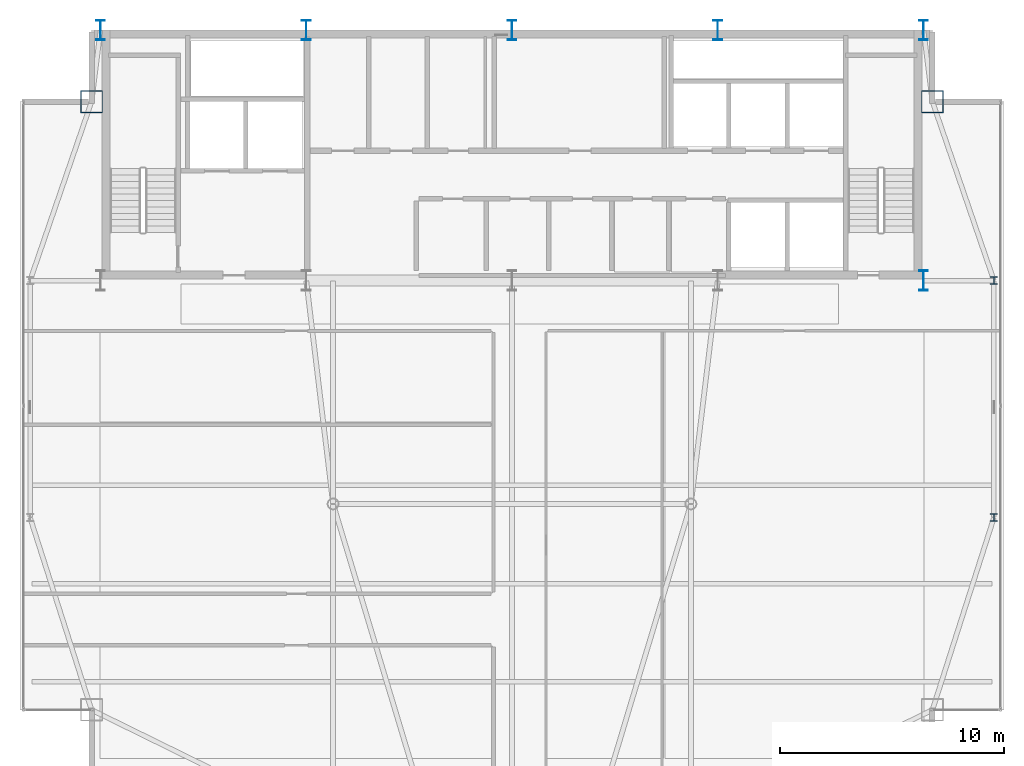
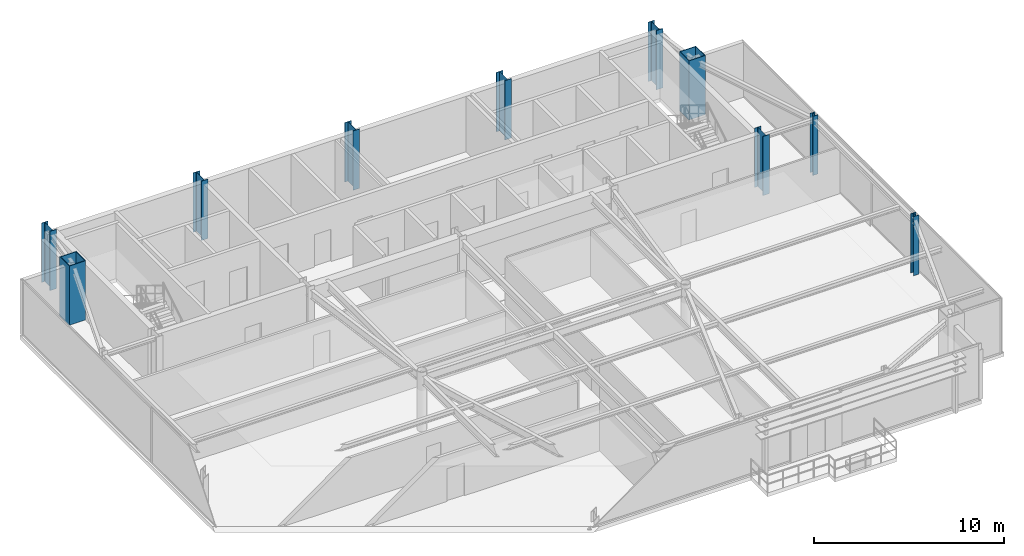
# One storey, part 2 of 23: 10 columns.
"""IFC4 building model written with IfcOpenShell, lengths in metres."""

from ifc_helpers import new_model, si_unit, direction, frame, origin, origin_2d, place, context, subcontext, project, spatial, hollow_rectangle, i_section, extrude, source, transform, mapped, material, material_profile, profile_set, type_object, type_shapes, element, save


model = new_model("IFC4")

# Units and contexts
model_context = context("Model", 3, precision=1e-05, world=origin(), true_north=direction((0.0, 1.0)))
body_context = subcontext(model_context, "Body", "Model", "MODEL_VIEW")
ifc_project = project(units=[si_unit("LENGTHUNIT", "METRE"), si_unit("AREAUNIT", "SQUARE_METRE"), si_unit("VOLUMEUNIT", "CUBIC_METRE"), si_unit("PLANEANGLEUNIT", "RADIAN"), si_unit("MASSUNIT", "GRAM", prefix="KILO")], contexts=[model_context])

# Site, building, storey
site_placement = place(None, origin())
site = spatial("IfcSite", under=ifc_project, at=site_placement, CompositionType="ELEMENT")
building_placement = place(site_placement, origin())
building = spatial("IfcBuilding", under=site, at=building_placement, Name="Varnel Quay Broadcast Tower", CompositionType="ELEMENT")
storey_placement = place(building_placement, frame((0.0, 0.0, 266.0)))
storey = spatial("IfcBuildingStorey", under=building, at=storey_placement, Name="L66", CompositionType="ELEMENT", Elevation=266.0)

# Columns
ifc_material_1 = material(Name="Structural Steel CSA G40.21 350WT", Category="steel")
ifc_material_profile_1 = material_profile(ifc_material_1, i_section(OverallWidth=0.39990234375, OverallDepth=0.89990234375, WebThickness=0.01611328125, FlangeThickness=0.028076171875, FilletRadius=0.01611328125, at=origin_2d()), Name="WWF900X309")
ifc_profile_set_1 = profile_set([ifc_material_profile_1], Name="Structural Steel CSA G40.21 350WT")
column_type_1 = type_object("IfcColumnType", Name="Col_WWF900X309", PredefinedType="COLUMN", material=ifc_profile_set_1)
shared_shape_1 = source(origin(), body_context, "Body", "SweptSolid", [
    extrude(i_section(OverallWidth=0.39990234375, OverallDepth=0.89990234375, WebThickness=0.01611328125, FlangeThickness=0.028076171875, FilletRadius=0.01611328125, at=origin_2d()), origin(), (0.0, 0.0, 1.0), 3.800048828125),
])
type_shapes(column_type_1, [shared_shape_1])
for number, where, z_axis, x_axis, name in (
    (1, (15.60009765625, 46.800048828125, 0.0), (0.0, 0.0, 1.0), (1.0, 0.0, 0.0), "L66 Column CC-N1"),
    (2, (24.800048828125, 46.800048828125, 0.0), (0.0, 0.0, 1.0), (1.0, 0.0, 0.0), "L66 Column CC-N2"),
    (3, (34.0, 46.800048828125, 0.0), (0.0, 0.0, 1.0), (1.0, 0.0, 0.0), "L66 Column CC-N3"),
    (4, (43.199951171875, 46.800048828125, 0.0), (0.0, 0.0, 1.0), (1.0, 0.0, 0.0), "L66 Column CC-N4"),
    (5, (52.39990234375, 35.60009765625, 0.0), (0.0, 0.0, 1.0), (1.0, 0.0, 0.0), "L66 Column CC-S5"),
    (6, (52.39990234375, 46.800048828125, 0.0), (0.0, 0.0, 1.0), (1.0, 0.0, 0.0), "L66 Column CC-N5"),
):
    element("IfcColumn", number, at=place(storey_placement, frame(where, z_axis=z_axis, x_axis=x_axis)), inside=storey, type_object=column_type_1, Name=name, PredefinedType="COLUMN", context=body_context, shape_type="MappedRepresentation", body=[
        mapped(shared_shape_1, transform((0.0, 0.0, 0.0), x_axis=(1.0, 0.0, 0.0), y_axis=(0.0, 1.0, 0.0), z_axis=(0.0, 0.0, 1.0), scale=1.0)),
    ])
ifc_material_profile_2 = material_profile(ifc_material_1, hollow_rectangle(XDim=1.0, YDim=1.0, WallThickness=0.0400390625, at=origin_2d()), Name="BOX1000X1000X40")
ifc_profile_set_2 = profile_set([ifc_material_profile_2], Name="Structural Steel CSA G40.21 350WT")
column_type_2 = type_object("IfcColumnType", Name="Col_BOX1000X1000X40", PredefinedType="COLUMN", material=ifc_profile_set_2)
shared_shape_2 = source(origin(), body_context, "Body", "SweptSolid", [
    extrude(hollow_rectangle(XDim=1.0, YDim=1.0, WallThickness=0.0400390625, at=origin_2d()), origin(), (0.0, 0.0, 1.0), 3.800048828125),
])
type_shapes(column_type_2, [shared_shape_2])
for number, where, z_axis, x_axis, name in (
    (7, (52.800048828125, 43.60009765625, 0.0), (0.0, 0.0, 1.0), (1.0, 0.0, 0.0), "L66 Column MC-NE"),
    (8, (15.199951171875, 43.60009765625, 0.0), (0.0, 0.0, 1.0), (1.0, 0.0, 0.0), "L66 Column MC-NW"),
):
    element("IfcColumn", number, at=place(storey_placement, frame(where, z_axis=z_axis, x_axis=x_axis)), inside=storey, type_object=column_type_2, Name=name, PredefinedType="COLUMN", context=body_context, shape_type="MappedRepresentation", body=[
        mapped(shared_shape_2, transform((0.0, 0.0, 0.0), x_axis=(1.0, 0.0, 0.0), y_axis=(0.0, 1.0, 0.0), z_axis=(0.0, 0.0, 1.0), scale=1.0)),
    ])
ifc_material_2 = material(Name="Structural Steel CSA G40.21 350W", Category="steel")
ifc_material_profile_3 = material_profile(ifc_material_2, i_section(OverallWidth=0.30908203125, OverallDepth=0.322998046875, WebThickness=0.013916015625, FlangeThickness=0.02294921875, FilletRadius=0.014892578125, at=origin_2d()), Name="W310X143")
ifc_profile_set_3 = profile_set([ifc_material_profile_3], Name="Structural Steel CSA G40.21 350W")
column_type_3 = type_object("IfcColumnType", Name="Col_W310X143", PredefinedType="COLUMN", material=ifc_profile_set_3)
shared_shape_3 = source(origin(), body_context, "Body", "SweptSolid", [
    extrude(i_section(OverallWidth=0.30908203125, OverallDepth=0.322998046875, WebThickness=0.013916015625, FlangeThickness=0.02294921875, FilletRadius=0.014892578125, at=origin_2d()), origin(), (0.0, 0.0, 1.0), 3.800048828125),
])
type_shapes(column_type_3, [shared_shape_3])
for number, where, z_axis, x_axis, name in (
    (9, (55.550048828125, 25.0, 0.0), (0.0, 0.0, 1.0), (1.0, 0.0, 0.0), "L66 Column TC-E1"),
    (10, (55.550048828125, 35.60009765625, 0.0), (0.0, 0.0, 1.0), (1.0, 0.0, 0.0), "L66 Column TC-E2"),
):
    element("IfcColumn", number, at=place(storey_placement, frame(where, z_axis=z_axis, x_axis=x_axis)), inside=storey, type_object=column_type_3, Name=name, PredefinedType="COLUMN", context=body_context, shape_type="MappedRepresentation", body=[
        mapped(shared_shape_3, transform((0.0, 0.0, 0.0), x_axis=(1.0, 0.0, 0.0), y_axis=(0.0, 1.0, 0.0), z_axis=(0.0, 0.0, 1.0), scale=1.0)),
    ])

save(model, "model.ifc")
